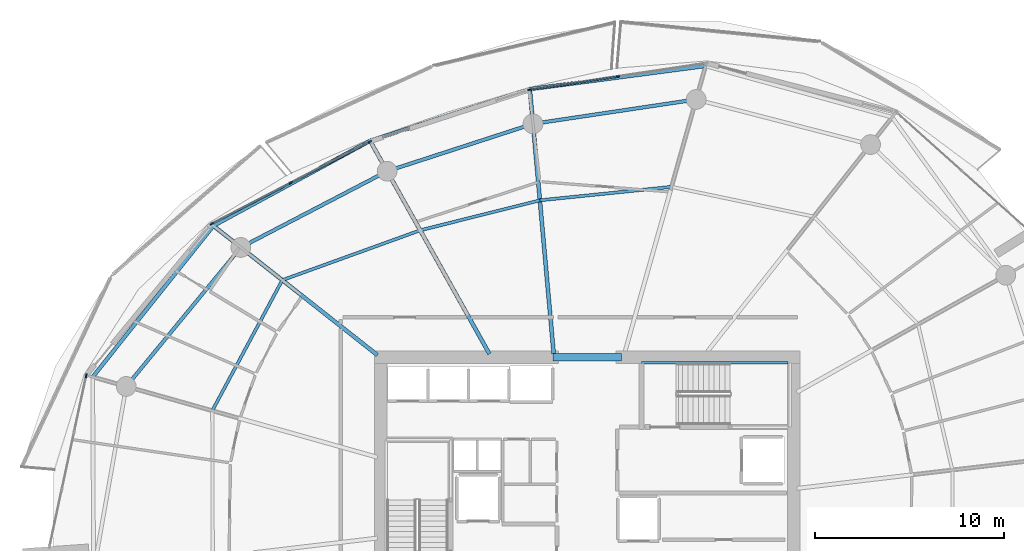
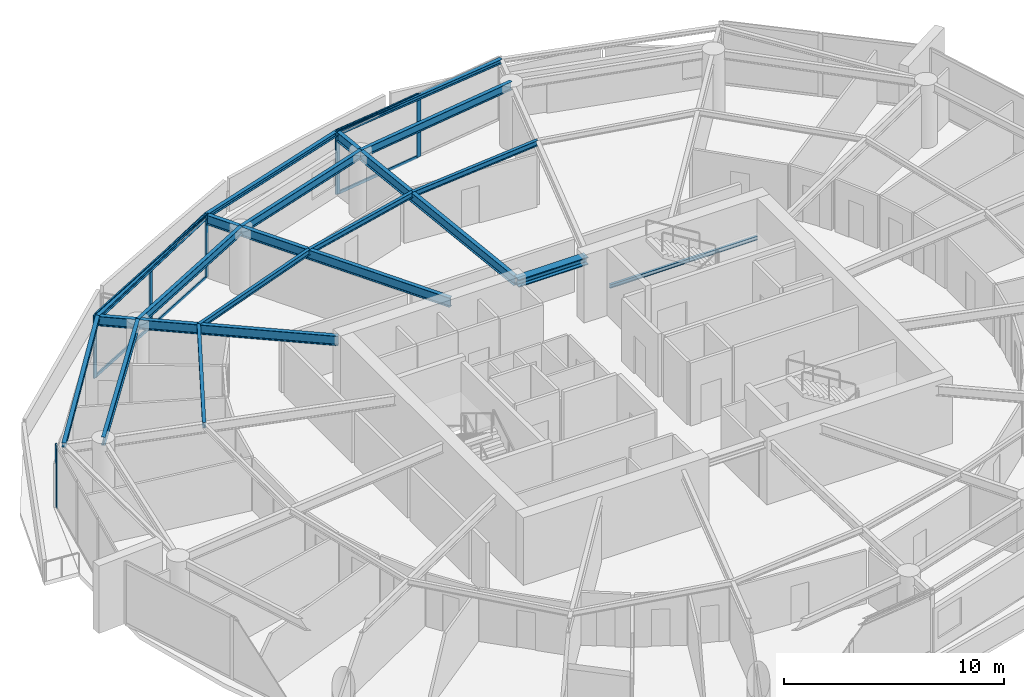
# One storey, part 8 of 20: 17 beams, 12 members, 3 elements without a shape of their own.
"""IFC4 building model written with IfcOpenShell, lengths in metres."""

from ifc_helpers import new_model, si_unit, direction, frame, origin, origin_2d, place, context, subcontext, project, spatial, rectangle, i_section, extrude, material, layer, layer_set, material_profile, profile_set, type_object, element, aggregate, save


model = new_model("IFC4")

# Units and contexts
model_context = context("Model", 3, precision=1e-05, world=origin(), true_north=direction((0.0, 1.0)))
body_context = subcontext(model_context, "Body", "Model", "MODEL_VIEW")
ifc_project = project(units=[si_unit("LENGTHUNIT", "METRE"), si_unit("AREAUNIT", "SQUARE_METRE"), si_unit("VOLUMEUNIT", "CUBIC_METRE"), si_unit("PLANEANGLEUNIT", "RADIAN"), si_unit("MASSUNIT", "GRAM", prefix="KILO")], contexts=[model_context])

# Site, building, storey
site_placement = place(None, origin())
site = spatial("IfcSite", under=ifc_project, at=site_placement, CompositionType="ELEMENT")
building_placement = place(site_placement, origin())
building = spatial("IfcBuilding", under=site, at=building_placement, Name="Kazma Halo Residences", CompositionType="ELEMENT")
storey_placement = place(building_placement, frame((0.0, 0.0, 214.050048828125)))
storey = spatial("IfcBuildingStorey", under=building, at=storey_placement, Name="L54", CompositionType="ELEMENT", Elevation=214.050048828125)

# Beams
ifc_material_1 = material(Name="Steel S355", Category="steel")
ifc_material_profile_1 = material_profile(ifc_material_1, i_section(OverallWidth=0.201904296875, OverallDepth=0.2470703125, WebThickness=0.00732421875, FlangeThickness=0.010986328125, FilletRadius=0.011962890625, at=origin_2d()), Name="W250x49.1")
ifc_profile_set_1 = profile_set([ifc_material_profile_1], Name="Steel S355")
beam_type_1 = type_object("IfcBeamType", Name="BM-BAL-CANT", PredefinedType="BEAM", material=ifc_profile_set_1)
beam_1_placement = place(storey_placement, frame((54.70458984375, 65.772216796875, 3.37646484375), z_axis=(-0.991401891123, -0.130852169558, 0.0), x_axis=(0.130852169558, -0.991401891123, 0.0)))
element("IfcBeam", 1, at=beam_1_placement, inside=storey, type_object=beam_type_1, Name="L54 wave-balcony tie beam 03", PredefinedType="BEAM", context=body_context, shape_type="SweptSolid", body=[
    extrude(i_section(OverallWidth=0.201904296875, OverallDepth=0.2470703125, WebThickness=0.00732421875, FlangeThickness=0.010986328125, FilletRadius=0.011962890625, at=origin_2d()), origin(), (0.0, 0.0, 1.0), 9.401611328125),
])
beam_2_placement = place(storey_placement, frame((45.3837890625, 64.5419921875, 3.37646484375), z_axis=(-0.951434599458, -0.307850942753, 0.0), x_axis=(0.307850942753, -0.951434599458, 0.0)))
element("IfcBeam", 2, at=beam_2_placement, inside=storey, type_object=beam_type_1, Name="L54 wave-balcony tie beam 04", PredefinedType="BEAM", context=body_context, shape_type="SweptSolid", body=[
    extrude(i_section(OverallWidth=0.201904296875, OverallDepth=0.2470703125, WebThickness=0.00732421875, FlangeThickness=0.010986328125, FilletRadius=0.011962890625, at=origin_2d()), origin(), (0.0, 0.0, 1.0), 8.905029296875),
])
beam_3_placement = place(storey_placement, frame((36.9111328125, 61.800537109375, 3.37646484375), z_axis=(-0.878890557257, -0.477023467309, 0.0), x_axis=(0.477023467309, -0.878890557257, 0.0)))
element("IfcBeam", 3, at=beam_3_placement, inside=storey, type_object=beam_type_1, Name="L54 wave-balcony tie beam 05", PredefinedType="BEAM", context=body_context, shape_type="SweptSolid", body=[
    extrude(i_section(OverallWidth=0.201904296875, OverallDepth=0.2470703125, WebThickness=0.00732421875, FlangeThickness=0.010986328125, FilletRadius=0.011962890625, at=origin_2d()), origin(), (0.0, 0.0, 1.0), 9.452880859375),
])
beam_4_placement = place(storey_placement, frame((28.60302734375, 57.291259765625, 3.37646484375), z_axis=(-0.624195724924, -0.781268005864, 0.0), x_axis=(0.781268005864, -0.624195724924, 0.0)))
element("IfcBeam", 4, at=beam_4_placement, inside=storey, type_object=beam_type_1, Name="L54 wave-balcony tie beam 06", PredefinedType="BEAM", context=body_context, shape_type="SweptSolid", body=[
    extrude(i_section(OverallWidth=0.201904296875, OverallDepth=0.2470703125, WebThickness=0.00732421875, FlangeThickness=0.010986328125, FilletRadius=0.011962890625, at=origin_2d()), origin(), (0.0, 0.0, 1.0), 10.258544921875),
])
ifc_material_profile_2 = material_profile(ifc_material_1, i_section(OverallWidth=0.408935546875, OverallDepth=0.425048828125, WebThickness=0.03271484375, FlangeThickness=0.052490234375, FilletRadius=0.02001953125, at=origin_2d()), Name="W360x421")
ifc_profile_set_2 = profile_set([ifc_material_profile_2], Name="Steel S355")
beam_type_2 = type_object("IfcBeamType", Name="BM-CORE-W360H", PredefinedType="BEAM", material=ifc_profile_set_2)
beam_5_placement = place(storey_placement, frame((46.60009765625, 50.324951171875, 3.287353515625), z_axis=(1.0, 0.0, 0.0), x_axis=(0.0, 1.0, 0.0)))
element("IfcBeam", 5, at=beam_5_placement, inside=storey, type_object=beam_type_2, Name="L54 core coupling beam N", PredefinedType="BEAM", context=body_context, shape_type="SweptSolid", body=[
    extrude(i_section(OverallWidth=0.408935546875, OverallDepth=0.425048828125, WebThickness=0.03271484375, FlangeThickness=0.052490234375, FilletRadius=0.02001953125, at=origin_2d()), origin(), (0.0, 0.0, 1.0), 3.64990234375),
])
ifc_material_profile_3 = material_profile(ifc_material_1, i_section(OverallWidth=0.208984375, OverallDepth=0.532958984375, WebThickness=0.01025390625, FlangeThickness=0.015625, FilletRadius=0.01611328125, at=origin_2d()), Name="W530x92")
ifc_profile_set_3 = profile_set([ifc_material_profile_3], Name="Steel S355")
beam_type_3 = type_object("IfcBeamType", Name="BM-RAD-W530", PredefinedType="BEAM", material=ifc_profile_set_3)
beam_6_placement = place(storey_placement, frame((46.64990234375, 50.5, 3.2333984375), z_axis=(-0.089801911205, 0.995959646142, 0.0), x_axis=(-0.995959646142, -0.089801911205, 0.0)))
element("IfcBeam", 6, at=beam_6_placement, inside=storey, type_object=beam_type_3, Name="L54 radial floor beam 04", PredefinedType="BEAM", context=body_context, shape_type="SweptSolid", body=[
    extrude(i_section(OverallWidth=0.208984375, OverallDepth=0.532958984375, WebThickness=0.01025390625, FlangeThickness=0.015625, FilletRadius=0.01611328125, at=origin_2d()), origin(), (0.0, 0.0, 1.0), 14.098876953125),
])
beam_7_placement = place(storey_placement, frame((43.23974609375, 50.5, 3.2333984375), z_axis=(-0.488621736368, 0.872495729931, 0.0), x_axis=(-0.872495729931, -0.488621736368, 0.0)))
element("IfcBeam", 7, at=beam_7_placement, inside=storey, type_object=beam_type_3, Name="L54 radial floor beam 05", PredefinedType="BEAM", context=body_context, shape_type="SweptSolid", body=[
    extrude(i_section(OverallWidth=0.208984375, OverallDepth=0.532958984375, WebThickness=0.01025390625, FlangeThickness=0.015625, FilletRadius=0.01611328125, at=origin_2d()), origin(), (0.0, 0.0, 1.0), 12.951904296875),
])
beam_8_placement = place(storey_placement, frame((37.300048828125, 50.435302734375, 3.2333984375), z_axis=(-0.785326671572, 0.619081593102, 0.0), x_axis=(-0.619081593102, -0.785326671572, 0.0)))
element("IfcBeam", 8, at=beam_8_placement, inside=storey, type_object=beam_type_3, Name="L54 radial floor beam 06", PredefinedType="BEAM", context=body_context, shape_type="SweptSolid", body=[
    extrude(i_section(OverallWidth=0.208984375, OverallDepth=0.532958984375, WebThickness=0.01025390625, FlangeThickness=0.015625, FilletRadius=0.01611328125, at=origin_2d()), origin(), (0.0, 0.0, 1.0), 11.074462890625),
])
ifc_material_profile_4 = material_profile(ifc_material_1, i_section(OverallWidth=0.1650390625, OverallDepth=0.31005859375, WebThickness=0.005859375, FlangeThickness=0.009765625, FilletRadius=0.011962890625, at=origin_2d()), Name="W310x38.7")
ifc_profile_set_4 = profile_set([ifc_material_profile_4], Name="Steel S355")
beam_type_4 = type_object("IfcBeamType", Name="BM-SEC-W310B", PredefinedType="JOIST", material=ifc_profile_set_4)
beam_9_placement = place(storey_placement, frame((52.8955078125, 59.35791015625, 3.344970703125), z_axis=(-0.994813898595, -0.101711883088, 0.0), x_axis=(0.101711883088, -0.994813898595, 0.0)))
element("IfcBeam", 9, at=beam_9_placement, inside=storey, type_object=beam_type_4, Name="L54 circumferential floor joist 03", PredefinedType="JOIST", context=body_context, shape_type="SweptSolid", body=[
    extrude(i_section(OverallWidth=0.1650390625, OverallDepth=0.31005859375, WebThickness=0.005859375, FlangeThickness=0.009765625, FilletRadius=0.011962890625, at=origin_2d()), origin(), (0.0, 0.0, 1.0), 7.01611328125),
])
beam_10_placement = place(storey_placement, frame((45.915771484375, 58.644287109375, 3.344970703125), z_axis=(-0.970019458253, -0.243027263102, 0.0), x_axis=(0.243027263102, -0.970019458253, 0.0)))
element("IfcBeam", 10, at=beam_10_placement, inside=storey, type_object=beam_type_4, Name="L54 circumferential floor joist 04", PredefinedType="JOIST", context=body_context, shape_type="SweptSolid", body=[
    extrude(i_section(OverallWidth=0.1650390625, OverallDepth=0.31005859375, WebThickness=0.005859375, FlangeThickness=0.009765625, FilletRadius=0.011962890625, at=origin_2d()), origin(), (0.0, 0.0, 1.0), 6.542724609375),
])
beam_11_placement = place(storey_placement, frame((39.569091796875, 57.05419921875, 3.344970703125), z_axis=(-0.940484507564, -0.339836565177, 0.0), x_axis=(0.339836565177, -0.940484507564, 0.0)))
element("IfcBeam", 11, at=beam_11_placement, inside=storey, type_object=beam_type_4, Name="L54 circumferential floor joist 05", PredefinedType="JOIST", context=body_context, shape_type="SweptSolid", body=[
    extrude(i_section(OverallWidth=0.1650390625, OverallDepth=0.31005859375, WebThickness=0.005859375, FlangeThickness=0.009765625, FilletRadius=0.011962890625, at=origin_2d()), origin(), (0.0, 0.0, 1.0), 7.776123046875),
])
beam_12_placement = place(storey_placement, frame((32.255859375, 54.41162109375, 3.344970703125), z_axis=(-0.472683532566, -0.881232249774, 0.0), x_axis=(0.881232249774, -0.472683532566, 0.0)))
element("IfcBeam", 12, at=beam_12_placement, inside=storey, type_object=beam_type_4, Name="L54 circumferential floor joist 06", PredefinedType="JOIST", context=body_context, shape_type="SweptSolid", body=[
    extrude(i_section(OverallWidth=0.1650390625, OverallDepth=0.31005859375, WebThickness=0.005859375, FlangeThickness=0.009765625, FilletRadius=0.011962890625, at=origin_2d()), origin(), (0.0, 0.0, 1.0), 7.85693359375),
])
ifc_material_profile_5 = material_profile(ifc_material_1, i_section(OverallWidth=0.18994140625, OverallDepth=0.45703125, WebThickness=0.009033203125, FlangeThickness=0.014404296875, FilletRadius=0.01611328125, at=origin_2d()), Name="W460x74")
ifc_profile_set_5 = profile_set([ifc_material_profile_5], Name="Steel S355")
beam_type_5 = type_object("IfcBeamType", Name="BM-SPN-W460", PredefinedType="BEAM", material=ifc_profile_set_5)
beam_13_placement = place(storey_placement, frame((54.202392578125, 63.99169921875, 3.271484375), z_axis=(-0.98903439143, -0.147685383732, 0.0), x_axis=(0.147685383732, -0.98903439143, 0.0)))
element("IfcBeam", 13, at=beam_13_placement, inside=storey, type_object=beam_type_5, Name="L54 perimeter ring beam 03", PredefinedType="BEAM", context=body_context, shape_type="SweptSolid", body=[
    extrude(i_section(OverallWidth=0.18994140625, OverallDepth=0.45703125, WebThickness=0.009033203125, FlangeThickness=0.014404296875, FilletRadius=0.01611328125, at=origin_2d()), origin(), (0.0, 0.0, 1.0), 8.748291015625),
])
beam_14_placement = place(storey_placement, frame((45.550048828125, 62.69970703125, 3.271484375), z_axis=(-0.951048627281, -0.30904127321, 0.0), x_axis=(0.30904127321, -0.951048627281, 0.0)))
element("IfcBeam", 14, at=beam_14_placement, inside=storey, type_object=beam_type_5, Name="L54 perimeter ring beam 04", PredefinedType="BEAM", context=body_context, shape_type="SweptSolid", body=[
    extrude(i_section(OverallWidth=0.18994140625, OverallDepth=0.45703125, WebThickness=0.009033203125, FlangeThickness=0.014404296875, FilletRadius=0.01611328125, at=origin_2d()), origin(), (0.0, 0.0, 1.0), 8.133056640625),
])
beam_15_placement = place(storey_placement, frame((37.815185546875, 60.186279296875, 3.271484375), z_axis=(-0.886961243394, -0.461843861838, 0.0), x_axis=(0.461843861838, -0.886961243394, 0.0)))
element("IfcBeam", 15, at=beam_15_placement, inside=storey, type_object=beam_type_5, Name="L54 perimeter ring beam 05", PredefinedType="BEAM", context=body_context, shape_type="SweptSolid", body=[
    extrude(i_section(OverallWidth=0.18994140625, OverallDepth=0.45703125, WebThickness=0.009033203125, FlangeThickness=0.014404296875, FilletRadius=0.01611328125, at=origin_2d()), origin(), (0.0, 0.0, 1.0), 8.748046875),
])
beam_16_placement = place(storey_placement, frame((30.055908203125, 56.14599609375, 3.271484375), z_axis=(-0.63601715545, -0.771674917289, 0.0), x_axis=(0.771674917289, -0.63601715545, 0.0)))
element("IfcBeam", 16, at=beam_16_placement, inside=storey, type_object=beam_type_5, Name="L54 perimeter ring beam 06", PredefinedType="BEAM", context=body_context, shape_type="SweptSolid", body=[
    extrude(i_section(OverallWidth=0.18994140625, OverallDepth=0.45703125, WebThickness=0.009033203125, FlangeThickness=0.014404296875, FilletRadius=0.01611328125, at=origin_2d()), origin(), (0.0, 0.0, 1.0), 9.552734375),
])
ifc_material_profile_6 = material_profile(ifc_material_1, i_section(OverallWidth=0.133056640625, OverallDepth=0.20703125, WebThickness=0.005859375, FlangeThickness=0.00830078125, FilletRadius=0.010009765625, at=origin_2d()), Name="W200x26.6")
ifc_profile_set_6 = profile_set([ifc_material_profile_6], Name="Steel S355")
beam_type_6 = type_object("IfcBeamType", Name="BM-TRIM-W200", PredefinedType="BEAM", material=ifc_profile_set_6)
beam_17_placement = place(storey_placement, frame((51.31005859375, 50.02001953125, 1.570068359375), z_axis=(1.0, 0.0, 0.0), x_axis=(0.0, 1.0, 0.0)))
element("IfcBeam", 17, at=beam_17_placement, inside=storey, type_object=beam_type_6, Name="L54 ST-02 landing north wall ledger", PredefinedType="BEAM", context=body_context, shape_type="SweptSolid", body=[
    extrude(i_section(OverallWidth=0.133056640625, OverallDepth=0.20703125, WebThickness=0.005859375, FlangeThickness=0.00830078125, FilletRadius=0.010009765625, at=origin_2d()), origin(), (0.0, 0.0, 1.0), 7.760009765625),
])

# Curtain wall, members
ifc_material_2 = material(Name="Aluminium AW-6063 T6 and Triple-Silver Low-E Glass", Category="aluminium")
ifc_layer = layer(ifc_material_2, 0.219970703125)
ifc_layer_set = layer_set([ifc_layer], Name="Aluminium AW-6063 T6 and Triple-Silver Low-E Glass")
curtain_wall_type = type_object("IfcCurtainWallType", Name="CW-SYS-4", PredefinedType="NOTDEFINED", material=ifc_layer_set)
curtain_wall_1_placement = place(storey_placement, origin())
curtain_wall_1 = element("IfcCurtainWall", 18, at=curtain_wall_1_placement, inside=storey, type_object=curtain_wall_type, Name="L54 unitised curtain wall B03", PredefinedType="NOTDEFINED")
ifc_material_3 = material(Name="Aluminium AW-6063 T6", Category="aluminium")
ifc_material_profile_7 = material_profile(ifc_material_3, rectangle(XDim=0.074951171875, YDim=0.219970703125, at=origin_2d()), Name="CWM-75x220")
ifc_profile_set_7 = profile_set([ifc_material_profile_7], Name="Aluminium AW-6063 T6")
member_type_1 = type_object("IfcMemberType", Name="CW-SYS-4-MUL", PredefinedType="MULLION", material=ifc_profile_set_7)
member_1_placement = place(storey_placement, frame((50.041259765625, 65.211181640625, 0.0), z_axis=(0.0, 0.0, 1.0), x_axis=(0.148772639188, -0.988871428361, 0.0)))
member_1 = element("IfcMember", 19, at=member_1_placement, type_object=member_type_1, Name="CWS-4 mullion 2", PredefinedType="MULLION", context=body_context, shape_type="SweptSolid", body=[
    extrude(rectangle(XDim=0.074951171875, YDim=0.219970703125, at=origin_2d()), origin(), (0.0, 0.0, 1.0), 3.5),
])
member_2_placement = place(storey_placement, frame((45.373779296875, 64.509033203125, 0.0), z_axis=(0.0, 0.0, 1.0), x_axis=(0.148772639188, -0.988871428361, 0.0)))
member_2 = element("IfcMember", 20, at=member_2_placement, type_object=member_type_1, Name="CWS-4 mullion 3", PredefinedType="MULLION", context=body_context, shape_type="SweptSolid", body=[
    extrude(rectangle(XDim=0.074951171875, YDim=0.219970703125, at=origin_2d()), origin(), (0.0, 0.0, 1.0), 3.5),
])

curtain_wall_2_placement = place(storey_placement, origin())
curtain_wall_2 = element("IfcCurtainWall", 21, at=curtain_wall_2_placement, inside=storey, type_object=curtain_wall_type, Name="L54 unitised curtain wall B05", PredefinedType="NOTDEFINED")
member_3_placement = place(storey_placement, frame((36.894287109375, 61.75390625, 0.0), z_axis=(0.0, 0.0, 1.0), x_axis=(0.460873851097, -0.887465657575, 0.0)))
member_3 = element("IfcMember", 22, at=member_3_placement, type_object=member_type_1, Name="CWS-4 mullion 1", PredefinedType="MULLION", context=body_context, shape_type="SweptSolid", body=[
    extrude(rectangle(XDim=0.074951171875, YDim=0.219970703125, at=origin_2d()), origin(), (0.0, 0.0, 1.0), 3.5),
])
member_4_placement = place(storey_placement, frame((32.705322265625, 59.578369140625, 0.0), z_axis=(0.0, 0.0, 1.0), x_axis=(0.460873851097, -0.887465657575, 0.0)))
member_4 = element("IfcMember", 23, at=member_4_placement, type_object=member_type_1, Name="CWS-4 mullion 2", PredefinedType="MULLION", context=body_context, shape_type="SweptSolid", body=[
    extrude(rectangle(XDim=0.074951171875, YDim=0.219970703125, at=origin_2d()), origin(), (0.0, 0.0, 1.0), 3.5),
])
member_5_placement = place(storey_placement, frame((28.5166015625, 57.403076171875, 0.0), z_axis=(0.0, 0.0, 1.0), x_axis=(0.460873851097, -0.887465657575, 0.0)))
member_5 = element("IfcMember", 24, at=member_5_placement, type_object=member_type_1, Name="CWS-4 mullion 3", PredefinedType="MULLION", context=body_context, shape_type="SweptSolid", body=[
    extrude(rectangle(XDim=0.074951171875, YDim=0.219970703125, at=origin_2d()), origin(), (0.0, 0.0, 1.0), 3.5),
])

# Curtain wall, member
curtain_wall_3_placement = place(storey_placement, origin())
curtain_wall_3 = element("IfcCurtainWall", 25, at=curtain_wall_3_placement, inside=storey, type_object=curtain_wall_type, Name="L54 unitised curtain wall B07", PredefinedType="NOTDEFINED")
member_6_placement = place(storey_placement, frame((21.8564453125, 49.334228515625, 0.0), z_axis=(0.0, 0.0, 1.0), x_axis=(0.977768017212, -0.209689543175, 0.0)))
member_6 = element("IfcMember", 26, at=member_6_placement, type_object=member_type_1, Name="CWS-4 mullion 1", PredefinedType="MULLION", context=body_context, shape_type="SweptSolid", body=[
    extrude(rectangle(XDim=0.074951171875, YDim=0.219970703125, at=origin_2d()), origin(), (0.0, 0.0, 1.0), 3.5),
])
aggregate(curtain_wall_3, [member_6])

# Member
ifc_material_profile_8 = material_profile(ifc_material_3, rectangle(XDim=0.074951171875, YDim=0.1650390625, at=origin_2d()), Name="CWT-75x165")
ifc_profile_set_8 = profile_set([ifc_material_profile_8], Name="Aluminium AW-6063 T6")
member_type_2 = type_object("IfcMemberType", Name="CW-SYS-4-TRN", PredefinedType="USERDEFINED", material=ifc_profile_set_8)
member_7_placement = place(storey_placement, frame((50.004150390625, 65.20556640625, 0.037353515625), z_axis=(-0.988876518566, -0.148738801357, 0.0), x_axis=(0.148738801357, -0.988876518566, 0.0)))
member_7 = element("IfcMember", 27, at=member_7_placement, type_object=member_type_2, Name="CWS-4 transom 2.1", ObjectType="TRANSOM", PredefinedType="USERDEFINED", context=body_context, shape_type="SweptSolid", body=[
    extrude(rectangle(XDim=0.074951171875, YDim=0.1650390625, at=origin_2d()), origin(), (0.0, 0.0, 1.0), 4.645263671875),
])

member_8_placement = place(storey_placement, frame((50.004150390625, 65.20556640625, 3.46240234375), z_axis=(-0.988876518566, -0.148738801357, 0.0), x_axis=(0.148738801357, -0.988876518566, 0.0)))
member_8 = element("IfcMember", 28, at=member_8_placement, type_object=member_type_2, Name="CWS-4 transom 2.2", ObjectType="TRANSOM", PredefinedType="USERDEFINED", context=body_context, shape_type="SweptSolid", body=[
    extrude(rectangle(XDim=0.074951171875, YDim=0.1650390625, at=origin_2d()), origin(), (0.0, 0.0, 1.0), 4.645263671875),
])

aggregate(curtain_wall_1, [member_1, member_2, member_7, member_8])

member_9_placement = place(storey_placement, frame((36.861083984375, 61.736572265625, 0.037353515625), z_axis=(-0.887457630519, -0.460889307789, 0.0), x_axis=(0.460889307789, -0.887457630519, 0.0)))
member_9 = element("IfcMember", 29, at=member_9_placement, type_object=member_type_2, Name="CWS-4 transom 1.1", ObjectType="TRANSOM", PredefinedType="USERDEFINED", context=body_context, shape_type="SweptSolid", body=[
    extrude(rectangle(XDim=0.074951171875, YDim=0.1650390625, at=origin_2d()), origin(), (0.0, 0.0, 1.0), 4.64501953125),
])

member_10_placement = place(storey_placement, frame((36.861083984375, 61.736572265625, 3.46240234375), z_axis=(-0.887457630519, -0.460889307789, 0.0), x_axis=(0.460889307789, -0.887457630519, 0.0)))
member_10 = element("IfcMember", 30, at=member_10_placement, type_object=member_type_2, Name="CWS-4 transom 1.2", ObjectType="TRANSOM", PredefinedType="USERDEFINED", context=body_context, shape_type="SweptSolid", body=[
    extrude(rectangle(XDim=0.074951171875, YDim=0.1650390625, at=origin_2d()), origin(), (0.0, 0.0, 1.0), 4.64501953125),
])

member_11_placement = place(storey_placement, frame((32.672119140625, 59.561279296875, 0.037353515625), z_axis=(-0.887457630519, -0.460889307789, 0.0), x_axis=(0.460889307789, -0.887457630519, 0.0)))
member_11 = element("IfcMember", 31, at=member_11_placement, type_object=member_type_2, Name="CWS-4 transom 2.1", ObjectType="TRANSOM", PredefinedType="USERDEFINED", context=body_context, shape_type="SweptSolid", body=[
    extrude(rectangle(XDim=0.074951171875, YDim=0.1650390625, at=origin_2d()), origin(), (0.0, 0.0, 1.0), 4.64501953125),
])

member_12_placement = place(storey_placement, frame((32.672119140625, 59.561279296875, 3.46240234375), z_axis=(-0.887457630519, -0.460889307789, 0.0), x_axis=(0.460889307789, -0.887457630519, 0.0)))
member_12 = element("IfcMember", 32, at=member_12_placement, type_object=member_type_2, Name="CWS-4 transom 2.2", ObjectType="TRANSOM", PredefinedType="USERDEFINED", context=body_context, shape_type="SweptSolid", body=[
    extrude(rectangle(XDim=0.074951171875, YDim=0.1650390625, at=origin_2d()), origin(), (0.0, 0.0, 1.0), 4.64501953125),
])

aggregate(curtain_wall_2, [member_3, member_4, member_5, member_9, member_10, member_11, member_12])

save(model, "model.ifc")
